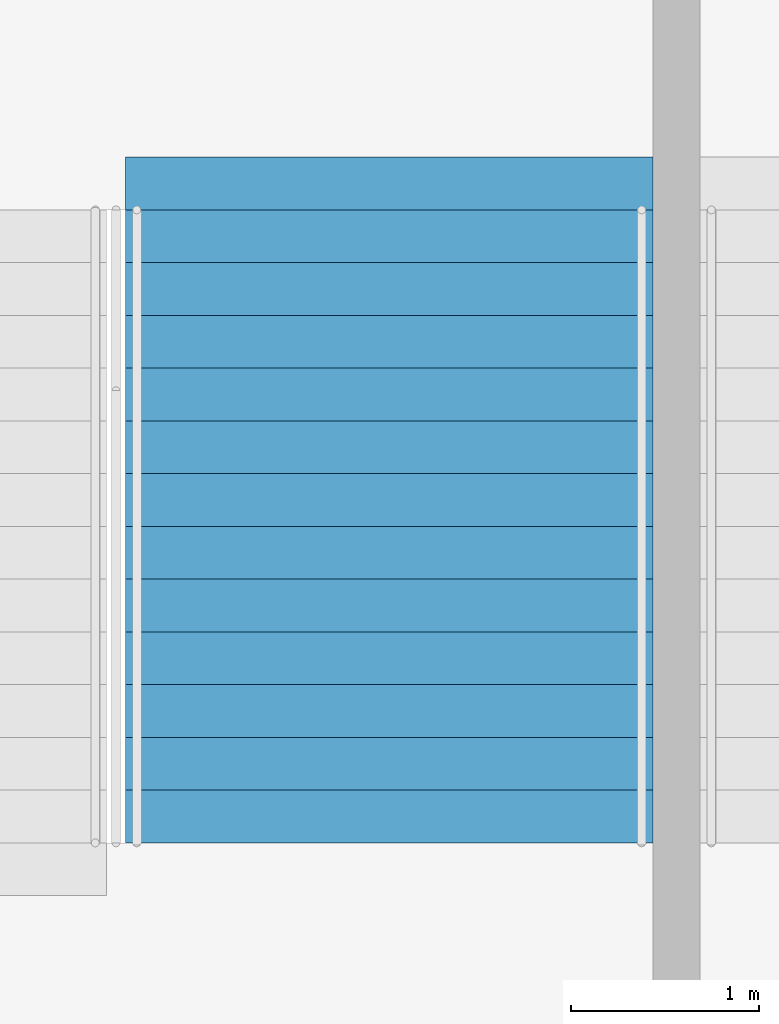
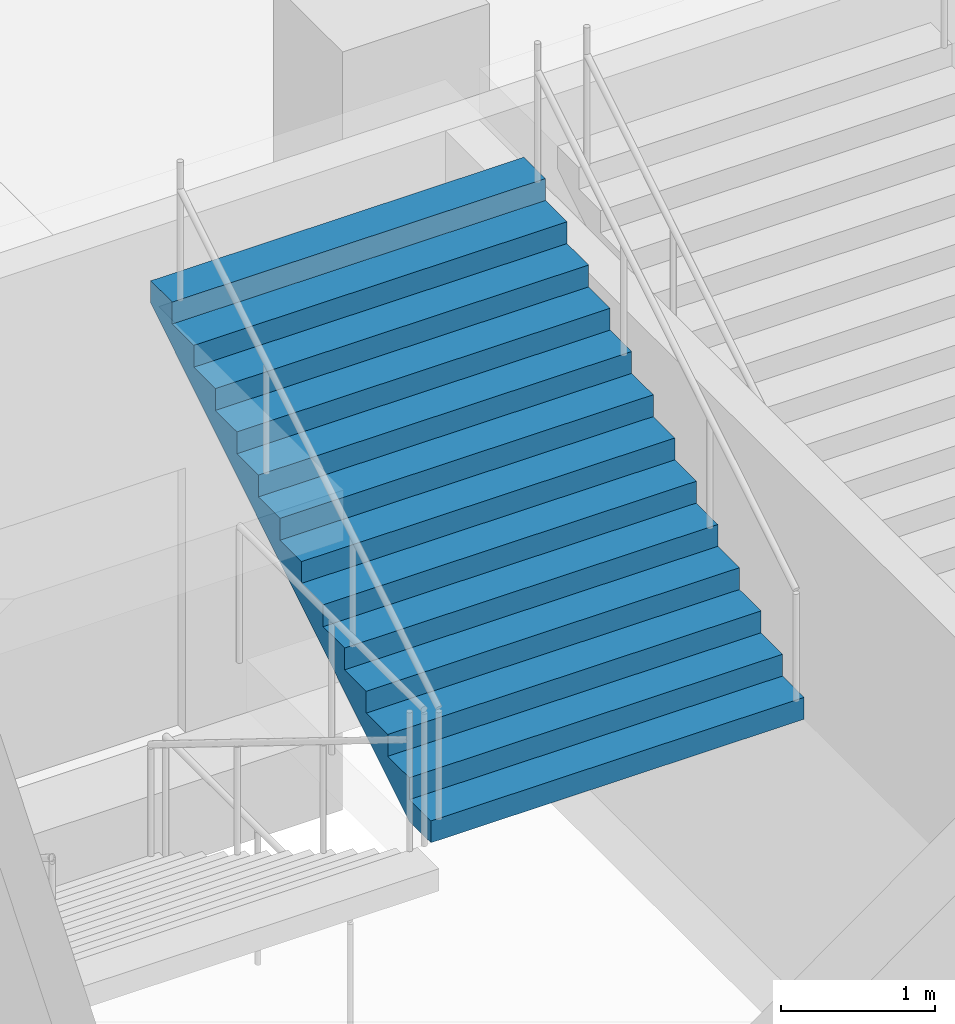
# One storey, part 69 of 175: 1 stair flight, 1 element without a shape of its own.
"""IFC4 building model written with IfcOpenShell, lengths in metres."""

from ifc_helpers import new_model, si_unit, direction, frame, origin, place, context, subcontext, project, spatial, faceted_brep, material, type_object, element, aggregate, save


model = new_model("IFC4")

# Units and contexts
model_context = context("Model", 3, precision=1e-05, world=origin(), true_north=direction((0.0, 1.0)))
body_context = subcontext(model_context, "Body", "Model", "MODEL_VIEW")
ifc_project = project(units=[si_unit("LENGTHUNIT", "METRE"), si_unit("AREAUNIT", "SQUARE_METRE"), si_unit("VOLUMEUNIT", "CUBIC_METRE"), si_unit("PLANEANGLEUNIT", "RADIAN"), si_unit("MASSUNIT", "GRAM", prefix="KILO")], contexts=[model_context])

# Site, building, storey
site_placement = place(None, origin())
site = spatial("IfcSite", under=ifc_project, at=site_placement, CompositionType="ELEMENT")
building_placement = place(site_placement, origin())
building = spatial("IfcBuilding", under=site, at=building_placement, Name="Ogive Plaza Stadium", CompositionType="ELEMENT")
storey_placement = place(building_placement, origin())
storey = spatial("IfcBuildingStorey", under=building, at=storey_placement, Name="L00", CompositionType="ELEMENT", Elevation=0.0)

# Stair, stair flight
ifc_material_1 = material(Name="Concrete C40/50", Category="concrete")
stair_type = type_object("IfcStairType", Name="Exit stair", PredefinedType="STRAIGHT_RUN_STAIR", material=ifc_material_1)
stair_placement = place(storey_placement, origin())
stair = element("IfcStair", 1, at=stair_placement, inside=storey, type_object=stair_type, Name="Exit stair ST12A L00 to L01", PredefinedType="STRAIGHT_RUN_STAIR")
ifc_material_2 = material(Name="Concrete C40/50", Category="concrete")
stair_flight_type = type_object("IfcStairFlightType", Name="Exit stair flight", PredefinedType="STRAIGHT", material=ifc_material_2)
stair_flight_placement = place(storey_placement, frame((32.47509765625, -98.2099609375, 2.25), z_axis=(0.0, 0.0, 1.0), x_axis=(0.0, 1.0, 0.0)))
stair_flight = element("IfcStairFlight", 2, at=stair_flight_placement, type_object=stair_flight_type, Name="ST12A flight 2", NumberOfRisers=13, NumberOfTreads=12, PredefinedType="STRAIGHT", RiserHeight=0.173076923, TreadLength=0.28, context=body_context, shape_type="Brep", body=[
    faceted_brep([(0.28515625, -1.39990234375, 0.0), (3.639892578125, -1.39990234375, 2.07373046875), (3.639892578125, -1.39990234375, 2.25), (3.360107421875, -1.39990234375, 2.25), (3.360107421875, -1.39990234375, 2.076904296875), (3.080078125, -1.39990234375, 2.076904296875), (3.080078125, -1.39990234375, 1.90380859375), (2.800048828125, -1.39990234375, 1.90380859375), (2.800048828125, -1.39990234375, 1.730712890625), (2.52001953125, -1.39990234375, 1.730712890625), (2.52001953125, -1.39990234375, 1.5576171875), (2.239990234375, -1.39990234375, 1.5576171875), (2.239990234375, -1.39990234375, 1.384521484375), (1.9599609375, -1.39990234375, 1.384521484375), (1.9599609375, -1.39990234375, 1.21142578125), (1.679931640625, -1.39990234375, 1.21142578125), (1.679931640625, -1.39990234375, 1.03857421875), (1.39990234375, -1.39990234375, 1.03857421875), (1.39990234375, -1.39990234375, 0.865478515625), (1.1201171875, -1.39990234375, 0.865478515625), (1.1201171875, -1.39990234375, 0.6923828125), (0.840087890625, -1.39990234375, 0.6923828125), (0.840087890625, -1.39990234375, 0.519287109375), (0.56005859375, -1.39990234375, 0.519287109375), (0.56005859375, -1.39990234375, 0.34619140625), (0.280029296875, -1.39990234375, 0.34619140625), (0.280029296875, -1.39990234375, 0.173095703125), (0.0, -1.39990234375, 0.173095703125), (0.0, -1.39990234375, 0.0), (0.0, 1.39990234375, 0.0), (0.0, 1.39990234375, 0.173095703125), (0.280029296875, 1.39990234375, 0.173095703125), (0.280029296875, 1.39990234375, 0.34619140625), (0.56005859375, 1.39990234375, 0.34619140625), (0.56005859375, 1.39990234375, 0.519287109375), (0.840087890625, 1.39990234375, 0.519287109375), (0.840087890625, 1.39990234375, 0.6923828125), (1.1201171875, 1.39990234375, 0.6923828125), (1.1201171875, 1.39990234375, 0.865478515625), (1.39990234375, 1.39990234375, 0.865478515625), (1.39990234375, 1.39990234375, 1.03857421875), (1.679931640625, 1.39990234375, 1.03857421875), (1.679931640625, 1.39990234375, 1.21142578125), (1.9599609375, 1.39990234375, 1.21142578125), (1.9599609375, 1.39990234375, 1.384521484375), (2.239990234375, 1.39990234375, 1.384521484375), (2.239990234375, 1.39990234375, 1.5576171875), (2.52001953125, 1.39990234375, 1.5576171875), (2.52001953125, 1.39990234375, 1.730712890625), (2.800048828125, 1.39990234375, 1.730712890625), (2.800048828125, 1.39990234375, 1.90380859375), (3.080078125, 1.39990234375, 1.90380859375), (3.080078125, 1.39990234375, 2.076904296875), (3.360107421875, 1.39990234375, 2.076904296875), (3.360107421875, 1.39990234375, 2.25), (3.639892578125, 1.39990234375, 2.25), (3.639892578125, 1.39990234375, 2.07373046875), (0.28515625, 1.39990234375, 0.0), (0.28515625, -1.0888671875, 0.0), (3.639892578125, -1.0888671875, 2.07373046875), (0.28515625, -0.77783203125, 0.0), (3.639892578125, -0.77783203125, 2.07373046875), (0.28515625, -0.466796875, 0.0), (3.639892578125, -0.466796875, 2.07373046875), (0.28515625, -0.155517578125, 0.0), (3.639892578125, -0.155517578125, 2.07373046875), (0.28515625, 0.155517578125, 0.0), (3.639892578125, 0.155517578125, 2.07373046875), (0.28515625, 0.466796875, 0.0), (3.639892578125, 0.466796875, 2.07373046875), (0.28515625, 0.77783203125, 0.0), (3.639892578125, 0.77783203125, 2.07373046875), (0.28515625, 1.0888671875, 0.0), (3.639892578125, 1.0888671875, 2.07373046875), (3.639892578125, -1.0888671875, 2.25), (3.639892578125, -0.77783203125, 2.25), (3.639892578125, -0.466796875, 2.25), (3.639892578125, -0.155517578125, 2.25), (3.639892578125, 0.155517578125, 2.25), (3.639892578125, 0.466796875, 2.25), (3.639892578125, 0.77783203125, 2.25), (3.639892578125, 1.0888671875, 2.25), (3.360107421875, -1.0888671875, 2.25), (3.360107421875, -0.77783203125, 2.25), (3.360107421875, -0.466796875, 2.25), (3.360107421875, -0.155517578125, 2.25), (3.360107421875, 0.155517578125, 2.25), (3.360107421875, 0.466796875, 2.25), (3.360107421875, 0.77783203125, 2.25), (3.360107421875, 1.0888671875, 2.25), (3.360107421875, -1.0888671875, 2.076904296875), (3.360107421875, -0.77783203125, 2.076904296875), (3.360107421875, -0.466796875, 2.076904296875), (3.360107421875, -0.155517578125, 2.076904296875), (3.360107421875, 0.155517578125, 2.076904296875), (3.360107421875, 0.466796875, 2.076904296875), (3.360107421875, 0.77783203125, 2.076904296875), (3.360107421875, 1.0888671875, 2.076904296875), (3.080078125, -1.0888671875, 2.076904296875), (3.080078125, -0.77783203125, 2.076904296875), (3.080078125, -0.466796875, 2.076904296875), (3.080078125, -0.155517578125, 2.076904296875), (3.080078125, 0.155517578125, 2.076904296875), (3.080078125, 0.466796875, 2.076904296875), (3.080078125, 0.77783203125, 2.076904296875), (3.080078125, 1.0888671875, 2.076904296875), (3.080078125, -1.0888671875, 1.90380859375), (3.080078125, -0.77783203125, 1.90380859375), (3.080078125, -0.466796875, 1.90380859375), (3.080078125, -0.155517578125, 1.90380859375), (3.080078125, 0.155517578125, 1.90380859375), (3.080078125, 0.466796875, 1.90380859375), (3.080078125, 0.77783203125, 1.90380859375), (3.080078125, 1.0888671875, 1.90380859375), (2.800048828125, -1.0888671875, 1.90380859375), (2.800048828125, -0.77783203125, 1.90380859375), (2.800048828125, -0.466796875, 1.90380859375), (2.800048828125, -0.155517578125, 1.90380859375), (2.800048828125, 0.155517578125, 1.90380859375), (2.800048828125, 0.466796875, 1.90380859375), (2.800048828125, 0.77783203125, 1.90380859375), (2.800048828125, 1.0888671875, 1.90380859375), (2.800048828125, -1.0888671875, 1.730712890625), (2.800048828125, -0.77783203125, 1.730712890625), (2.800048828125, -0.466796875, 1.730712890625), (2.800048828125, -0.155517578125, 1.730712890625), (2.800048828125, 0.155517578125, 1.730712890625), (2.800048828125, 0.466796875, 1.730712890625), (2.800048828125, 0.77783203125, 1.730712890625), (2.800048828125, 1.0888671875, 1.730712890625), (2.52001953125, -1.0888671875, 1.730712890625), (2.52001953125, -0.77783203125, 1.730712890625), (2.52001953125, -0.466796875, 1.730712890625), (2.52001953125, -0.155517578125, 1.730712890625), (2.52001953125, 0.155517578125, 1.730712890625), (2.52001953125, 0.466796875, 1.730712890625), (2.52001953125, 0.77783203125, 1.730712890625), (2.52001953125, 1.0888671875, 1.730712890625), (2.52001953125, -1.0888671875, 1.5576171875), (2.52001953125, -0.77783203125, 1.5576171875), (2.52001953125, -0.466796875, 1.5576171875), (2.52001953125, -0.155517578125, 1.5576171875), (2.52001953125, 0.155517578125, 1.5576171875), (2.52001953125, 0.466796875, 1.5576171875), (2.52001953125, 0.77783203125, 1.5576171875), (2.52001953125, 1.0888671875, 1.5576171875), (2.239990234375, -1.0888671875, 1.5576171875), (2.239990234375, -0.77783203125, 1.5576171875), (2.239990234375, -0.466796875, 1.5576171875), (2.239990234375, -0.155517578125, 1.5576171875), (2.239990234375, 0.155517578125, 1.5576171875), (2.239990234375, 0.466796875, 1.5576171875), (2.239990234375, 0.77783203125, 1.5576171875), (2.239990234375, 1.0888671875, 1.5576171875), (2.239990234375, -1.0888671875, 1.384521484375), (2.239990234375, -0.77783203125, 1.384521484375), (2.239990234375, -0.466796875, 1.384521484375), (2.239990234375, -0.155517578125, 1.384521484375), (2.239990234375, 0.155517578125, 1.384521484375), (2.239990234375, 0.466796875, 1.384521484375), (2.239990234375, 0.77783203125, 1.384521484375), (2.239990234375, 1.0888671875, 1.384521484375), (1.9599609375, -1.0888671875, 1.384521484375), (1.9599609375, -0.77783203125, 1.384521484375), (1.9599609375, -0.466796875, 1.384521484375), (1.9599609375, -0.155517578125, 1.384521484375), (1.9599609375, 0.155517578125, 1.384521484375), (1.9599609375, 0.466796875, 1.384521484375), (1.9599609375, 0.77783203125, 1.384521484375), (1.9599609375, 1.0888671875, 1.384521484375), (1.9599609375, -1.0888671875, 1.21142578125), (1.9599609375, -0.77783203125, 1.21142578125), (1.9599609375, -0.466796875, 1.21142578125), (1.9599609375, -0.155517578125, 1.21142578125), (1.9599609375, 0.155517578125, 1.21142578125), (1.9599609375, 0.466796875, 1.21142578125), (1.9599609375, 0.77783203125, 1.21142578125), (1.9599609375, 1.0888671875, 1.21142578125), (1.679931640625, -1.0888671875, 1.21142578125), (1.679931640625, -0.77783203125, 1.21142578125), (1.679931640625, -0.466796875, 1.21142578125), (1.679931640625, -0.155517578125, 1.21142578125), (1.679931640625, 0.155517578125, 1.21142578125), (1.679931640625, 0.466796875, 1.21142578125), (1.679931640625, 0.77783203125, 1.21142578125), (1.679931640625, 1.0888671875, 1.21142578125), (1.679931640625, -1.0888671875, 1.03857421875), (1.679931640625, -0.77783203125, 1.03857421875), (1.679931640625, -0.466796875, 1.03857421875), (1.679931640625, -0.155517578125, 1.03857421875), (1.679931640625, 0.155517578125, 1.03857421875), (1.679931640625, 0.466796875, 1.03857421875), (1.679931640625, 0.77783203125, 1.03857421875), (1.679931640625, 1.0888671875, 1.03857421875), (1.39990234375, -1.0888671875, 1.03857421875), (1.39990234375, -0.77783203125, 1.03857421875), (1.39990234375, -0.466796875, 1.03857421875), (1.39990234375, -0.155517578125, 1.03857421875), (1.39990234375, 0.155517578125, 1.03857421875), (1.39990234375, 0.466796875, 1.03857421875), (1.39990234375, 0.77783203125, 1.03857421875), (1.39990234375, 1.0888671875, 1.03857421875), (1.39990234375, -1.0888671875, 0.865478515625), (1.39990234375, -0.77783203125, 0.865478515625), (1.39990234375, -0.466796875, 0.865478515625), (1.39990234375, -0.155517578125, 0.865478515625), (1.39990234375, 0.155517578125, 0.865478515625), (1.39990234375, 0.466796875, 0.865478515625), (1.39990234375, 0.77783203125, 0.865478515625), (1.39990234375, 1.0888671875, 0.865478515625), (1.1201171875, -1.0888671875, 0.865478515625), (1.1201171875, -0.77783203125, 0.865478515625), (1.1201171875, -0.466796875, 0.865478515625), (1.1201171875, -0.155517578125, 0.865478515625), (1.1201171875, 0.155517578125, 0.865478515625), (1.1201171875, 0.466796875, 0.865478515625), (1.1201171875, 0.77783203125, 0.865478515625), (1.1201171875, 1.0888671875, 0.865478515625), (1.1201171875, -1.0888671875, 0.6923828125), (1.1201171875, -0.77783203125, 0.6923828125), (1.1201171875, -0.466796875, 0.6923828125), (1.1201171875, -0.155517578125, 0.6923828125), (1.1201171875, 0.155517578125, 0.6923828125), (1.1201171875, 0.466796875, 0.6923828125), (1.1201171875, 0.77783203125, 0.6923828125), (1.1201171875, 1.0888671875, 0.6923828125), (0.840087890625, -1.0888671875, 0.6923828125), (0.840087890625, -0.77783203125, 0.6923828125), (0.840087890625, -0.466796875, 0.6923828125), (0.840087890625, -0.155517578125, 0.6923828125), (0.840087890625, 0.155517578125, 0.6923828125), (0.840087890625, 0.466796875, 0.6923828125), (0.840087890625, 0.77783203125, 0.6923828125), (0.840087890625, 1.0888671875, 0.6923828125), (0.840087890625, -1.0888671875, 0.519287109375), (0.840087890625, -0.77783203125, 0.519287109375), (0.840087890625, -0.466796875, 0.519287109375), (0.840087890625, -0.155517578125, 0.519287109375), (0.840087890625, 0.155517578125, 0.519287109375), (0.840087890625, 0.466796875, 0.519287109375), (0.840087890625, 0.77783203125, 0.519287109375), (0.840087890625, 1.0888671875, 0.519287109375), (0.56005859375, -1.0888671875, 0.519287109375), (0.56005859375, -0.77783203125, 0.519287109375), (0.56005859375, -0.466796875, 0.519287109375), (0.56005859375, -0.155517578125, 0.519287109375), (0.56005859375, 0.155517578125, 0.519287109375), (0.56005859375, 0.466796875, 0.519287109375), (0.56005859375, 0.77783203125, 0.519287109375), (0.56005859375, 1.0888671875, 0.519287109375), (0.56005859375, -1.0888671875, 0.34619140625), (0.56005859375, -0.77783203125, 0.34619140625), (0.56005859375, -0.466796875, 0.34619140625), (0.56005859375, -0.155517578125, 0.34619140625), (0.56005859375, 0.155517578125, 0.34619140625), (0.56005859375, 0.466796875, 0.34619140625), (0.56005859375, 0.77783203125, 0.34619140625), (0.56005859375, 1.0888671875, 0.34619140625), (0.280029296875, -1.0888671875, 0.34619140625), (0.280029296875, -0.77783203125, 0.34619140625), (0.280029296875, -0.466796875, 0.34619140625), (0.280029296875, -0.155517578125, 0.34619140625), (0.280029296875, 0.155517578125, 0.34619140625), (0.280029296875, 0.466796875, 0.34619140625), (0.280029296875, 0.77783203125, 0.34619140625), (0.280029296875, 1.0888671875, 0.34619140625), (0.280029296875, -1.0888671875, 0.173095703125), (0.280029296875, -0.77783203125, 0.173095703125), (0.280029296875, -0.466796875, 0.173095703125), (0.280029296875, -0.155517578125, 0.173095703125), (0.280029296875, 0.155517578125, 0.173095703125), (0.280029296875, 0.466796875, 0.173095703125), (0.280029296875, 0.77783203125, 0.173095703125), (0.280029296875, 1.0888671875, 0.173095703125), (0.0, -1.0888671875, 0.173095703125), (0.0, -0.77783203125, 0.173095703125), (0.0, -0.466796875, 0.173095703125), (0.0, -0.155517578125, 0.173095703125), (0.0, 0.155517578125, 0.173095703125), (0.0, 0.466796875, 0.173095703125), (0.0, 0.77783203125, 0.173095703125), (0.0, 1.0888671875, 0.173095703125), (0.0, -1.0888671875, 0.0), (0.0, -0.77783203125, 0.0), (0.0, -0.466796875, 0.0), (0.0, -0.155517578125, 0.0), (0.0, 0.155517578125, 0.0), (0.0, 0.466796875, 0.0), (0.0, 0.77783203125, 0.0), (0.0, 1.0888671875, 0.0)], [[[0, 1, 2, 3, 4, 5, 6, 7, 8, 9, 10, 11, 12, 13, 14, 15, 16, 17, 18, 19, 20, 21, 22, 23, 24, 25, 26, 27, 28]], [[29, 30, 31, 32, 33, 34, 35, 36, 37, 38, 39, 40, 41, 42, 43, 44, 45, 46, 47, 48, 49, 50, 51, 52, 53, 54, 55, 56, 57]], [[0, 58, 59, 1]], [[58, 60, 61, 59]], [[60, 62, 63, 61]], [[62, 64, 65, 63]], [[64, 66, 67, 65]], [[66, 68, 69, 67]], [[68, 70, 71, 69]], [[70, 72, 73, 71]], [[72, 57, 56, 73]], [[1, 59, 74, 2]], [[59, 61, 75, 74]], [[61, 63, 76, 75]], [[63, 65, 77, 76]], [[65, 67, 78, 77]], [[67, 69, 79, 78]], [[69, 71, 80, 79]], [[71, 73, 81, 80]], [[73, 56, 55, 81]], [[2, 74, 82, 3]], [[74, 75, 83, 82]], [[75, 76, 84, 83]], [[76, 77, 85, 84]], [[77, 78, 86, 85]], [[78, 79, 87, 86]], [[79, 80, 88, 87]], [[80, 81, 89, 88]], [[81, 55, 54, 89]], [[3, 82, 90, 4]], [[82, 83, 91, 90]], [[83, 84, 92, 91]], [[84, 85, 93, 92]], [[85, 86, 94, 93]], [[86, 87, 95, 94]], [[87, 88, 96, 95]], [[88, 89, 97, 96]], [[89, 54, 53, 97]], [[4, 90, 98, 5]], [[90, 91, 99, 98]], [[91, 92, 100, 99]], [[92, 93, 101, 100]], [[93, 94, 102, 101]], [[94, 95, 103, 102]], [[95, 96, 104, 103]], [[96, 97, 105, 104]], [[97, 53, 52, 105]], [[5, 98, 106, 6]], [[98, 99, 107, 106]], [[99, 100, 108, 107]], [[100, 101, 109, 108]], [[101, 102, 110, 109]], [[102, 103, 111, 110]], [[103, 104, 112, 111]], [[104, 105, 113, 112]], [[105, 52, 51, 113]], [[6, 106, 114, 7]], [[106, 107, 115, 114]], [[107, 108, 116, 115]], [[108, 109, 117, 116]], [[109, 110, 118, 117]], [[110, 111, 119, 118]], [[111, 112, 120, 119]], [[112, 113, 121, 120]], [[113, 51, 50, 121]], [[7, 114, 122, 8]], [[114, 115, 123, 122]], [[115, 116, 124, 123]], [[116, 117, 125, 124]], [[117, 118, 126, 125]], [[118, 119, 127, 126]], [[119, 120, 128, 127]], [[120, 121, 129, 128]], [[121, 50, 49, 129]], [[8, 122, 130, 9]], [[122, 123, 131, 130]], [[123, 124, 132, 131]], [[124, 125, 133, 132]], [[125, 126, 134, 133]], [[126, 127, 135, 134]], [[127, 128, 136, 135]], [[128, 129, 137, 136]], [[129, 49, 48, 137]], [[9, 130, 138, 10]], [[130, 131, 139, 138]], [[131, 132, 140, 139]], [[132, 133, 141, 140]], [[133, 134, 142, 141]], [[134, 135, 143, 142]], [[135, 136, 144, 143]], [[136, 137, 145, 144]], [[137, 48, 47, 145]], [[10, 138, 146, 11]], [[138, 139, 147, 146]], [[139, 140, 148, 147]], [[140, 141, 149, 148]], [[141, 142, 150, 149]], [[142, 143, 151, 150]], [[143, 144, 152, 151]], [[144, 145, 153, 152]], [[145, 47, 46, 153]], [[11, 146, 154, 12]], [[146, 147, 155, 154]], [[147, 148, 156, 155]], [[148, 149, 157, 156]], [[149, 150, 158, 157]], [[150, 151, 159, 158]], [[151, 152, 160, 159]], [[152, 153, 161, 160]], [[153, 46, 45, 161]], [[12, 154, 162, 13]], [[154, 155, 163, 162]], [[155, 156, 164, 163]], [[156, 157, 165, 164]], [[157, 158, 166, 165]], [[158, 159, 167, 166]], [[159, 160, 168, 167]], [[160, 161, 169, 168]], [[161, 45, 44, 169]], [[13, 162, 170, 14]], [[162, 163, 171, 170]], [[163, 164, 172, 171]], [[164, 165, 173, 172]], [[165, 166, 174, 173]], [[166, 167, 175, 174]], [[167, 168, 176, 175]], [[168, 169, 177, 176]], [[169, 44, 43, 177]], [[14, 170, 178, 15]], [[170, 171, 179, 178]], [[171, 172, 180, 179]], [[172, 173, 181, 180]], [[173, 174, 182, 181]], [[174, 175, 183, 182]], [[175, 176, 184, 183]], [[176, 177, 185, 184]], [[177, 43, 42, 185]], [[15, 178, 186, 16]], [[178, 179, 187, 186]], [[179, 180, 188, 187]], [[180, 181, 189, 188]], [[181, 182, 190, 189]], [[182, 183, 191, 190]], [[183, 184, 192, 191]], [[184, 185, 193, 192]], [[185, 42, 41, 193]], [[16, 186, 194, 17]], [[186, 187, 195, 194]], [[187, 188, 196, 195]], [[188, 189, 197, 196]], [[189, 190, 198, 197]], [[190, 191, 199, 198]], [[191, 192, 200, 199]], [[192, 193, 201, 200]], [[193, 41, 40, 201]], [[17, 194, 202, 18]], [[194, 195, 203, 202]], [[195, 196, 204, 203]], [[196, 197, 205, 204]], [[197, 198, 206, 205]], [[198, 199, 207, 206]], [[199, 200, 208, 207]], [[200, 201, 209, 208]], [[201, 40, 39, 209]], [[18, 202, 210, 19]], [[202, 203, 211, 210]], [[203, 204, 212, 211]], [[204, 205, 213, 212]], [[205, 206, 214, 213]], [[206, 207, 215, 214]], [[207, 208, 216, 215]], [[208, 209, 217, 216]], [[209, 39, 38, 217]], [[19, 210, 218, 20]], [[210, 211, 219, 218]], [[211, 212, 220, 219]], [[212, 213, 221, 220]], [[213, 214, 222, 221]], [[214, 215, 223, 222]], [[215, 216, 224, 223]], [[216, 217, 225, 224]], [[217, 38, 37, 225]], [[20, 218, 226, 21]], [[218, 219, 227, 226]], [[219, 220, 228, 227]], [[220, 221, 229, 228]], [[221, 222, 230, 229]], [[222, 223, 231, 230]], [[223, 224, 232, 231]], [[224, 225, 233, 232]], [[225, 37, 36, 233]], [[21, 226, 234, 22]], [[226, 227, 235, 234]], [[227, 228, 236, 235]], [[228, 229, 237, 236]], [[229, 230, 238, 237]], [[230, 231, 239, 238]], [[231, 232, 240, 239]], [[232, 233, 241, 240]], [[233, 36, 35, 241]], [[22, 234, 242, 23]], [[234, 235, 243, 242]], [[235, 236, 244, 243]], [[236, 237, 245, 244]], [[237, 238, 246, 245]], [[238, 239, 247, 246]], [[239, 240, 248, 247]], [[240, 241, 249, 248]], [[241, 35, 34, 249]], [[23, 242, 250, 24]], [[242, 243, 251, 250]], [[243, 244, 252, 251]], [[244, 245, 253, 252]], [[245, 246, 254, 253]], [[246, 247, 255, 254]], [[247, 248, 256, 255]], [[248, 249, 257, 256]], [[249, 34, 33, 257]], [[24, 250, 258, 25]], [[250, 251, 259, 258]], [[251, 252, 260, 259]], [[252, 253, 261, 260]], [[253, 254, 262, 261]], [[254, 255, 263, 262]], [[255, 256, 264, 263]], [[256, 257, 265, 264]], [[257, 33, 32, 265]], [[25, 258, 266, 26]], [[258, 259, 267, 266]], [[259, 260, 268, 267]], [[260, 261, 269, 268]], [[261, 262, 270, 269]], [[262, 263, 271, 270]], [[263, 264, 272, 271]], [[264, 265, 273, 272]], [[265, 32, 31, 273]], [[26, 266, 274, 27]], [[266, 267, 275, 274]], [[267, 268, 276, 275]], [[268, 269, 277, 276]], [[269, 270, 278, 277]], [[270, 271, 279, 278]], [[271, 272, 280, 279]], [[272, 273, 281, 280]], [[273, 31, 30, 281]], [[27, 274, 282, 28]], [[274, 275, 283, 282]], [[275, 276, 284, 283]], [[276, 277, 285, 284]], [[277, 278, 286, 285]], [[278, 279, 287, 286]], [[279, 280, 288, 287]], [[280, 281, 289, 288]], [[281, 30, 29, 289]], [[28, 282, 58, 0]], [[282, 283, 60, 58]], [[283, 284, 62, 60]], [[284, 285, 64, 62]], [[285, 286, 66, 64]], [[286, 287, 68, 66]], [[287, 288, 70, 68]], [[288, 289, 72, 70]], [[289, 29, 57, 72]]]),
])
aggregate(stair, [stair_flight])

save(model, "model.ifc")
